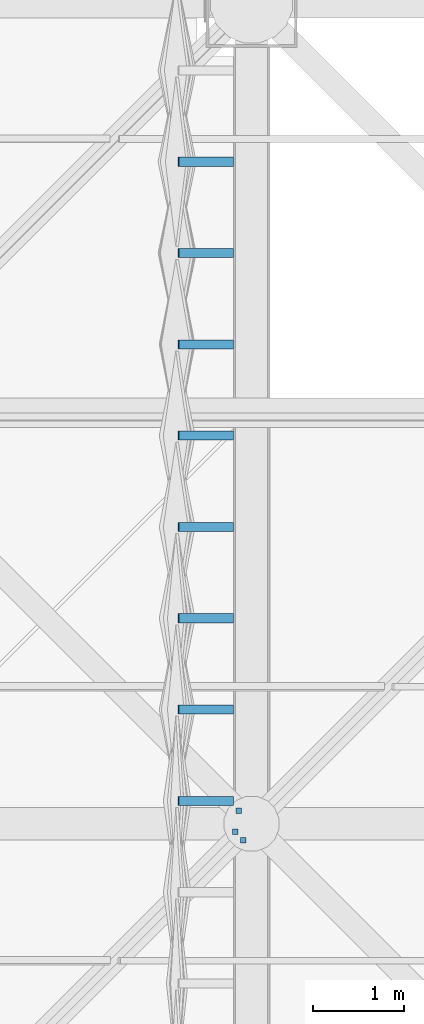
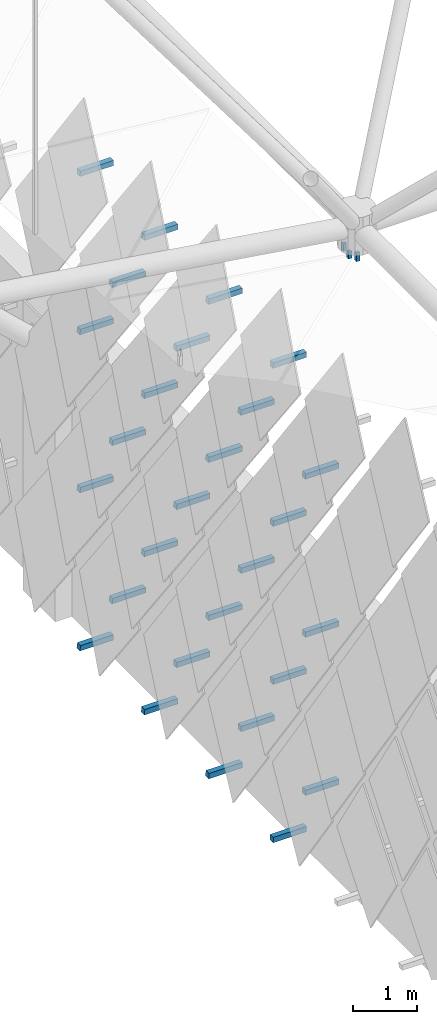
# One storey, part 357 of 437: 31 discrete accessories.
"""IFC4 building model written with IfcOpenShell, lengths in metres."""

from ifc_helpers import new_model, si_unit, direction, frame, origin, place, context, subcontext, project, spatial, polyline, outline, extrude, material, type_object, element, save


model = new_model("IFC4")

# Units and contexts
model_context = context("Model", 3, precision=1e-05, world=origin(), true_north=direction((0.0, 1.0)))
body_context = subcontext(model_context, "Body", "Model", "MODEL_VIEW")
ifc_project = project(units=[si_unit("LENGTHUNIT", "METRE"), si_unit("AREAUNIT", "SQUARE_METRE"), si_unit("VOLUMEUNIT", "CUBIC_METRE"), si_unit("PLANEANGLEUNIT", "RADIAN"), si_unit("MASSUNIT", "GRAM", prefix="KILO")], contexts=[model_context])

# Site, building, storey
site_placement = place(None, origin())
site = spatial("IfcSite", under=ifc_project, at=site_placement, CompositionType="ELEMENT")
building_placement = place(site_placement, origin())
building = spatial("IfcBuilding", under=site, at=building_placement, Name="Opaline Strait Convention Centre", CompositionType="ELEMENT")
storey_placement = place(building_placement, frame((0.0, 0.0, 11.5)))
storey = spatial("IfcBuildingStorey", under=building, at=storey_placement, Name="L02", CompositionType="ELEMENT", Elevation=11.5)

# Discrete accessories
ifc_material = material(Name="Steel Q355B", Category="steel")
discrete_accessory_type_1 = type_object("IfcDiscreteAccessoryType", Name="Soffit hanger 60x60 steel", PredefinedType="BRACKET", material=ifc_material)
discrete_accessory_1_placement = place(storey_placement, frame((0.0, 0.0, 11.97998046875)))
element("IfcDiscreteAccessory", 1, at=discrete_accessory_1_placement, inside=storey, type_object=discrete_accessory_type_1, Name="Soffit hanger", PredefinedType="BRACKET", context=body_context, shape_type="SweptSolid", body=[
    extrude(outline(polyline([(98.880859375, 80.791015625), (98.940673828125, 80.791015625), (98.940673828125, 80.85107421875), (98.880859375, 80.85107421875), (98.880859375, 80.791015625)])), origin(), (0.0, 0.0, 1.0), 0.159912109375),
])
discrete_accessory_2_placement = place(storey_placement, frame((0.0, 0.0, 12.00830078125)))
element("IfcDiscreteAccessory", 2, at=discrete_accessory_2_placement, inside=storey, type_object=discrete_accessory_type_1, Name="Soffit hanger", PredefinedType="BRACKET", context=body_context, shape_type="SweptSolid", body=[
    extrude(outline(polyline([(98.791015625, 80.880859375), (98.85107421875, 80.880859375), (98.85107421875, 80.940673828125), (98.791015625, 80.940673828125), (98.791015625, 80.880859375)])), origin(), (0.0, 0.0, 1.0), 0.131591796875),
])
discrete_accessory_3_placement = place(storey_placement, frame((0.0, 0.0, 11.9990234375)))
element("IfcDiscreteAccessory", 3, at=discrete_accessory_3_placement, inside=storey, type_object=discrete_accessory_type_1, Name="Soffit hanger", PredefinedType="BRACKET", context=body_context, shape_type="SweptSolid", body=[
    extrude(outline(polyline([(98.82861328125, 81.111328125), (98.888671875, 81.111328125), (98.888671875, 81.17138671875), (98.82861328125, 81.17138671875), (98.82861328125, 81.111328125)])), origin(), (0.0, 0.0, 1.0), 0.140869140625),
])
discrete_accessory_type_2 = type_object("IfcDiscreteAccessoryType", Name="Tile bracket 100x100 steel", PredefinedType="BRACKET", material=ifc_material)
discrete_accessory_4_placement = place(storey_placement, frame((98.800048828125, 88.300048828125, 0.39208984375), z_axis=(0.0, -1.0, 0.0), x_axis=(1.0, 0.0, 0.0)))
element("IfcDiscreteAccessory", 4, at=discrete_accessory_4_placement, inside=storey, type_object=discrete_accessory_type_2, Name="Tile bracket XT15 W", PredefinedType="BRACKET", context=body_context, shape_type="SweptSolid", body=[
    extrude(outline(polyline([(0.0, -0.050048828125), (0.0, 0.050048828125), (-0.593505859375, 0.050048828125), (-0.606689453125, -0.050048828125), (0.0, -0.050048828125)])), origin(), (0.0, 0.0, 1.0), 0.10009765625),
])
discrete_accessory_5_placement = place(storey_placement, frame((98.800048828125, 86.300048828125, 0.39208984375), z_axis=(0.0, -1.0, 0.0), x_axis=(1.0, 0.0, 0.0)))
element("IfcDiscreteAccessory", 5, at=discrete_accessory_5_placement, inside=storey, type_object=discrete_accessory_type_2, Name="Tile bracket XT12 W", PredefinedType="BRACKET", context=body_context, shape_type="SweptSolid", body=[
    extrude(outline(polyline([(0.0, -0.050048828125), (0.0, 0.050048828125), (-0.5947265625, 0.050048828125), (-0.605224609375, -0.050048828125), (0.0, -0.050048828125)])), origin(), (0.0, 0.0, 1.0), 0.10009765625),
])
discrete_accessory_6_placement = place(storey_placement, frame((98.800048828125, 84.300048828125, 0.39208984375), z_axis=(0.0, -1.0, 0.0), x_axis=(1.0, 0.0, 0.0)))
element("IfcDiscreteAccessory", 6, at=discrete_accessory_6_placement, inside=storey, type_object=discrete_accessory_type_2, Name="Tile bracket XT08 W", PredefinedType="BRACKET", context=body_context, shape_type="SweptSolid", body=[
    extrude(outline(polyline([(0.0, -0.050048828125), (0.0, 0.050048828125), (-0.596435546875, 0.050048828125), (-0.603515625, -0.050048828125), (0.0, -0.050048828125)])), origin(), (0.0, 0.0, 1.0), 0.10009765625),
])
discrete_accessory_7_placement = place(storey_placement, frame((98.800048828125, 82.300048828125, 0.39208984375), z_axis=(0.0, -1.0, 0.0), x_axis=(1.0, 0.0, 0.0)))
element("IfcDiscreteAccessory", 7, at=discrete_accessory_7_placement, inside=storey, type_object=discrete_accessory_type_2, Name="Tile bracket XT05 W", PredefinedType="BRACKET", context=body_context, shape_type="SweptSolid", body=[
    extrude(outline(polyline([(0.0, -0.050048828125), (0.0, 0.050048828125), (-0.597900390625, 0.050048828125), (-0.602294921875, -0.050048828125), (0.0, -0.050048828125)])), origin(), (0.0, 0.0, 1.0), 0.10009765625),
])
discrete_accessory_8_placement = place(storey_placement, frame((98.800048828125, 87.300048828125, 1.89208984375), z_axis=(0.0, -1.0, 0.0), x_axis=(1.0, 0.0, 0.0)))
element("IfcDiscreteAccessory", 8, at=discrete_accessory_8_placement, inside=storey, type_object=discrete_accessory_type_2, Name="Tile bracket XT15 W", PredefinedType="BRACKET", context=body_context, shape_type="SweptSolid", body=[
    extrude(outline(polyline([(0.0, -0.050048828125), (0.0, 0.050048828125), (-0.593505859375, 0.050048828125), (-0.606689453125, -0.050048828125), (0.0, -0.050048828125)])), origin(), (0.0, 0.0, 1.0), 0.10009765625),
])
discrete_accessory_9_placement = place(storey_placement, frame((98.800048828125, 85.300048828125, 1.89208984375), z_axis=(0.0, -1.0, 0.0), x_axis=(1.0, 0.0, 0.0)))
element("IfcDiscreteAccessory", 9, at=discrete_accessory_9_placement, inside=storey, type_object=discrete_accessory_type_2, Name="Tile bracket XT12 W", PredefinedType="BRACKET", context=body_context, shape_type="SweptSolid", body=[
    extrude(outline(polyline([(0.0, -0.050048828125), (0.0, 0.050048828125), (-0.5947265625, 0.050048828125), (-0.605224609375, -0.050048828125), (0.0, -0.050048828125)])), origin(), (0.0, 0.0, 1.0), 0.10009765625),
])
discrete_accessory_10_placement = place(storey_placement, frame((98.800048828125, 83.300048828125, 1.89208984375), z_axis=(0.0, -1.0, 0.0), x_axis=(1.0, 0.0, 0.0)))
element("IfcDiscreteAccessory", 10, at=discrete_accessory_10_placement, inside=storey, type_object=discrete_accessory_type_2, Name="Tile bracket XT08 W", PredefinedType="BRACKET", context=body_context, shape_type="SweptSolid", body=[
    extrude(outline(polyline([(0.0, -0.050048828125), (0.0, 0.050048828125), (-0.596435546875, 0.050048828125), (-0.603515625, -0.050048828125), (0.0, -0.050048828125)])), origin(), (0.0, 0.0, 1.0), 0.10009765625),
])
discrete_accessory_11_placement = place(storey_placement, frame((98.800048828125, 81.300048828125, 1.89208984375), z_axis=(0.0, -1.0, 0.0), x_axis=(1.0, 0.0, 0.0)))
element("IfcDiscreteAccessory", 11, at=discrete_accessory_11_placement, inside=storey, type_object=discrete_accessory_type_2, Name="Tile bracket XT05 W", PredefinedType="BRACKET", context=body_context, shape_type="SweptSolid", body=[
    extrude(outline(polyline([(0.0, -0.050048828125), (0.0, 0.050048828125), (-0.597900390625, 0.050048828125), (-0.602294921875, -0.050048828125), (0.0, -0.050048828125)])), origin(), (0.0, 0.0, 1.0), 0.10009765625),
])
discrete_accessory_12_placement = place(storey_placement, frame((98.800048828125, 88.300048828125, 3.39208984375), z_axis=(0.0, -1.0, 0.0), x_axis=(1.0, 0.0, 0.0)))
element("IfcDiscreteAccessory", 12, at=discrete_accessory_12_placement, inside=storey, type_object=discrete_accessory_type_2, Name="Tile bracket XT16 W", PredefinedType="BRACKET", context=body_context, shape_type="SweptSolid", body=[
    extrude(outline(polyline([(0.0, -0.050048828125), (0.0, 0.050048828125), (-0.593017578125, 0.050048828125), (-0.60693359375, -0.050048828125), (0.0, -0.050048828125)])), origin(), (0.0, 0.0, 1.0), 0.10009765625),
])
discrete_accessory_13_placement = place(storey_placement, frame((98.800048828125, 86.300048828125, 3.39208984375), z_axis=(0.0, -1.0, 0.0), x_axis=(1.0, 0.0, 0.0)))
element("IfcDiscreteAccessory", 13, at=discrete_accessory_13_placement, inside=storey, type_object=discrete_accessory_type_2, Name="Tile bracket XT14 W", PredefinedType="BRACKET", context=body_context, shape_type="SweptSolid", body=[
    extrude(outline(polyline([(0.0, -0.050048828125), (0.0, 0.050048828125), (-0.59375, 0.050048828125), (-0.606201171875, -0.050048828125), (0.0, -0.050048828125)])), origin(), (0.0, 0.0, 1.0), 0.10009765625),
])
discrete_accessory_14_placement = place(storey_placement, frame((98.800048828125, 84.300048828125, 3.39208984375), z_axis=(0.0, -1.0, 0.0), x_axis=(1.0, 0.0, 0.0)))
element("IfcDiscreteAccessory", 14, at=discrete_accessory_14_placement, inside=storey, type_object=discrete_accessory_type_2, Name="Tile bracket XT12 W", PredefinedType="BRACKET", context=body_context, shape_type="SweptSolid", body=[
    extrude(outline(polyline([(0.0, -0.050048828125), (0.0, 0.050048828125), (-0.5947265625, 0.050048828125), (-0.605224609375, -0.050048828125), (0.0, -0.050048828125)])), origin(), (0.0, 0.0, 1.0), 0.10009765625),
])
discrete_accessory_15_placement = place(storey_placement, frame((98.800048828125, 82.300048828125, 3.39208984375), z_axis=(0.0, -1.0, 0.0), x_axis=(1.0, 0.0, 0.0)))
element("IfcDiscreteAccessory", 15, at=discrete_accessory_15_placement, inside=storey, type_object=discrete_accessory_type_2, Name="Tile bracket XT08 W", PredefinedType="BRACKET", context=body_context, shape_type="SweptSolid", body=[
    extrude(outline(polyline([(0.0, -0.050048828125), (0.0, 0.050048828125), (-0.596435546875, 0.050048828125), (-0.603515625, -0.050048828125), (0.0, -0.050048828125)])), origin(), (0.0, 0.0, 1.0), 0.10009765625),
])
discrete_accessory_16_placement = place(storey_placement, frame((98.800048828125, 87.300048828125, 4.89208984375), z_axis=(0.0, -1.0, 0.0), x_axis=(1.0, 0.0, 0.0)))
element("IfcDiscreteAccessory", 16, at=discrete_accessory_16_placement, inside=storey, type_object=discrete_accessory_type_2, Name="Tile bracket XT16 W", PredefinedType="BRACKET", context=body_context, shape_type="SweptSolid", body=[
    extrude(outline(polyline([(0.0, -0.050048828125), (0.0, 0.050048828125), (-0.593017578125, 0.050048828125), (-0.60693359375, -0.050048828125), (0.0, -0.050048828125)])), origin(), (0.0, 0.0, 1.0), 0.10009765625),
])
discrete_accessory_17_placement = place(storey_placement, frame((98.800048828125, 85.300048828125, 4.89208984375), z_axis=(0.0, -1.0, 0.0), x_axis=(1.0, 0.0, 0.0)))
element("IfcDiscreteAccessory", 17, at=discrete_accessory_17_placement, inside=storey, type_object=discrete_accessory_type_2, Name="Tile bracket XT15 W", PredefinedType="BRACKET", context=body_context, shape_type="SweptSolid", body=[
    extrude(outline(polyline([(0.0, -0.050048828125), (0.0, 0.050048828125), (-0.593505859375, 0.050048828125), (-0.606689453125, -0.050048828125), (0.0, -0.050048828125)])), origin(), (0.0, 0.0, 1.0), 0.10009765625),
])
discrete_accessory_18_placement = place(storey_placement, frame((98.800048828125, 83.300048828125, 4.89208984375), z_axis=(0.0, -1.0, 0.0), x_axis=(1.0, 0.0, 0.0)))
element("IfcDiscreteAccessory", 18, at=discrete_accessory_18_placement, inside=storey, type_object=discrete_accessory_type_2, Name="Tile bracket XT12 W", PredefinedType="BRACKET", context=body_context, shape_type="SweptSolid", body=[
    extrude(outline(polyline([(0.0, -0.050048828125), (0.0, 0.050048828125), (-0.5947265625, 0.050048828125), (-0.605224609375, -0.050048828125), (0.0, -0.050048828125)])), origin(), (0.0, 0.0, 1.0), 0.10009765625),
])
discrete_accessory_19_placement = place(storey_placement, frame((98.800048828125, 81.300048828125, 4.89208984375), z_axis=(0.0, -1.0, 0.0), x_axis=(1.0, 0.0, 0.0)))
element("IfcDiscreteAccessory", 19, at=discrete_accessory_19_placement, inside=storey, type_object=discrete_accessory_type_2, Name="Tile bracket XT08 W", PredefinedType="BRACKET", context=body_context, shape_type="SweptSolid", body=[
    extrude(outline(polyline([(0.0, -0.050048828125), (0.0, 0.050048828125), (-0.596435546875, 0.050048828125), (-0.603515625, -0.050048828125), (0.0, -0.050048828125)])), origin(), (0.0, 0.0, 1.0), 0.10009765625),
])
discrete_accessory_20_placement = place(storey_placement, frame((98.800048828125, 88.300048828125, 6.39208984375), z_axis=(0.0, -1.0, 0.0), x_axis=(1.0, 0.0, 0.0)))
element("IfcDiscreteAccessory", 20, at=discrete_accessory_20_placement, inside=storey, type_object=discrete_accessory_type_2, Name="Tile bracket XT14 W", PredefinedType="BRACKET", context=body_context, shape_type="SweptSolid", body=[
    extrude(outline(polyline([(0.0, -0.050048828125), (0.0, 0.050048828125), (-0.59375, 0.050048828125), (-0.606201171875, -0.050048828125), (0.0, -0.050048828125)])), origin(), (0.0, 0.0, 1.0), 0.10009765625),
])
for number, where, z_axis, x_axis, name in (
    (21, (98.800048828125, 86.300048828125, 6.39208984375), (0.0, -1.0, 0.0), (1.0, 0.0, 0.0), "Tile bracket XT15 W"),
    (22, (98.800048828125, 84.300048828125, 6.39208984375), (0.0, -1.0, 0.0), (1.0, 0.0, 0.0), "Tile bracket XT15 W"),
):
    element("IfcDiscreteAccessory", number, at=place(storey_placement, frame(where, z_axis=z_axis, x_axis=x_axis)), inside=storey, type_object=discrete_accessory_type_2, Name=name, PredefinedType="BRACKET", context=body_context, shape_type="SweptSolid", body=[
        extrude(outline(polyline([(0.0, -0.050048828125), (0.0, 0.050048828125), (-0.593505859375, 0.050048828125), (-0.606689453125, -0.050048828125), (0.0, -0.050048828125)])), origin(), (0.0, 0.0, 1.0), 0.10009765625),
    ])
discrete_accessory_21_placement = place(storey_placement, frame((98.800048828125, 82.300048828125, 6.39208984375), z_axis=(0.0, -1.0, 0.0), x_axis=(1.0, 0.0, 0.0)))
element("IfcDiscreteAccessory", 23, at=discrete_accessory_21_placement, inside=storey, type_object=discrete_accessory_type_2, Name="Tile bracket XT13 W", PredefinedType="BRACKET", context=body_context, shape_type="SweptSolid", body=[
    extrude(outline(polyline([(0.0, -0.050048828125), (0.0, 0.050048828125), (-0.59423828125, 0.050048828125), (-0.605712890625, -0.050048828125), (0.0, -0.050048828125)])), origin(), (0.0, 0.0, 1.0), 0.10009765625),
])
discrete_accessory_22_placement = place(storey_placement, frame((98.800048828125, 87.300048828125, 7.89208984375), z_axis=(0.0, -1.0, 0.0), x_axis=(1.0, 0.0, 0.0)))
element("IfcDiscreteAccessory", 24, at=discrete_accessory_22_placement, inside=storey, type_object=discrete_accessory_type_2, Name="Tile bracket XT14 W", PredefinedType="BRACKET", context=body_context, shape_type="SweptSolid", body=[
    extrude(outline(polyline([(0.0, -0.050048828125), (0.0, 0.050048828125), (-0.59375, 0.050048828125), (-0.606201171875, -0.050048828125), (0.0, -0.050048828125)])), origin(), (0.0, 0.0, 1.0), 0.10009765625),
])
for number, where, z_axis, x_axis, name in (
    (25, (98.800048828125, 85.300048828125, 7.89208984375), (0.0, -1.0, 0.0), (1.0, 0.0, 0.0), "Tile bracket XT15 W"),
    (26, (98.800048828125, 83.300048828125, 7.89208984375), (0.0, -1.0, 0.0), (1.0, 0.0, 0.0), "Tile bracket XT15 W"),
):
    element("IfcDiscreteAccessory", number, at=place(storey_placement, frame(where, z_axis=z_axis, x_axis=x_axis)), inside=storey, type_object=discrete_accessory_type_2, Name=name, PredefinedType="BRACKET", context=body_context, shape_type="SweptSolid", body=[
        extrude(outline(polyline([(0.0, -0.050048828125), (0.0, 0.050048828125), (-0.593505859375, 0.050048828125), (-0.606689453125, -0.050048828125), (0.0, -0.050048828125)])), origin(), (0.0, 0.0, 1.0), 0.10009765625),
    ])
discrete_accessory_23_placement = place(storey_placement, frame((98.800048828125, 81.300048828125, 7.89208984375), z_axis=(0.0, -1.0, 0.0), x_axis=(1.0, 0.0, 0.0)))
element("IfcDiscreteAccessory", 27, at=discrete_accessory_23_placement, inside=storey, type_object=discrete_accessory_type_2, Name="Tile bracket XT12 W", PredefinedType="BRACKET", context=body_context, shape_type="SweptSolid", body=[
    extrude(outline(polyline([(0.0, -0.050048828125), (0.0, 0.050048828125), (-0.5947265625, 0.050048828125), (-0.605224609375, -0.050048828125), (0.0, -0.050048828125)])), origin(), (0.0, 0.0, 1.0), 0.10009765625),
])
discrete_accessory_24_placement = place(storey_placement, frame((98.800048828125, 88.300048828125, 9.39208984375), z_axis=(0.0, -1.0, 0.0), x_axis=(1.0, 0.0, 0.0)))
element("IfcDiscreteAccessory", 28, at=discrete_accessory_24_placement, inside=storey, type_object=discrete_accessory_type_2, Name="Tile bracket XT10 W", PredefinedType="BRACKET", context=body_context, shape_type="SweptSolid", body=[
    extrude(outline(polyline([(0.0, -0.050048828125), (0.0, 0.050048828125), (-0.595703125, 0.050048828125), (-0.604248046875, -0.050048828125), (0.0, -0.050048828125)])), origin(), (0.0, 0.0, 1.0), 0.10009765625),
])
discrete_accessory_25_placement = place(storey_placement, frame((98.800048828125, 86.300048828125, 9.39208984375), z_axis=(0.0, -1.0, 0.0), x_axis=(1.0, 0.0, 0.0)))
element("IfcDiscreteAccessory", 29, at=discrete_accessory_25_placement, inside=storey, type_object=discrete_accessory_type_2, Name="Tile bracket XT13 W", PredefinedType="BRACKET", context=body_context, shape_type="SweptSolid", body=[
    extrude(outline(polyline([(0.0, -0.050048828125), (0.0, 0.050048828125), (-0.59423828125, 0.050048828125), (-0.605712890625, -0.050048828125), (0.0, -0.050048828125)])), origin(), (0.0, 0.0, 1.0), 0.10009765625),
])
for number, where, z_axis, x_axis, name in (
    (30, (98.800048828125, 84.300048828125, 9.39208984375), (0.0, -1.0, 0.0), (1.0, 0.0, 0.0), "Tile bracket XT15 W"),
    (31, (98.800048828125, 82.300048828125, 9.39208984375), (0.0, -1.0, 0.0), (1.0, 0.0, 0.0), "Tile bracket XT15 W"),
):
    element("IfcDiscreteAccessory", number, at=place(storey_placement, frame(where, z_axis=z_axis, x_axis=x_axis)), inside=storey, type_object=discrete_accessory_type_2, Name=name, PredefinedType="BRACKET", context=body_context, shape_type="SweptSolid", body=[
        extrude(outline(polyline([(0.0, -0.050048828125), (0.0, 0.050048828125), (-0.593505859375, 0.050048828125), (-0.606689453125, -0.050048828125), (0.0, -0.050048828125)])), origin(), (0.0, 0.0, 1.0), 0.10009765625),
    ])

save(model, "model.ifc")
